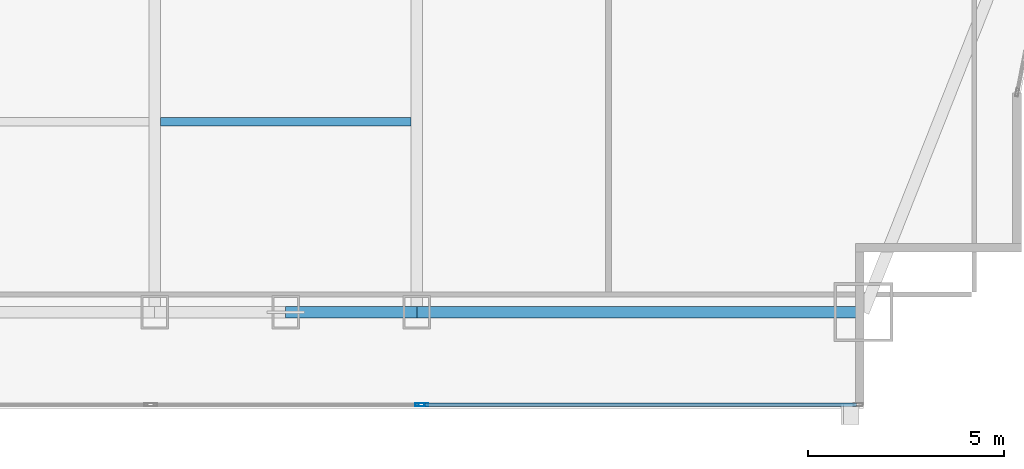
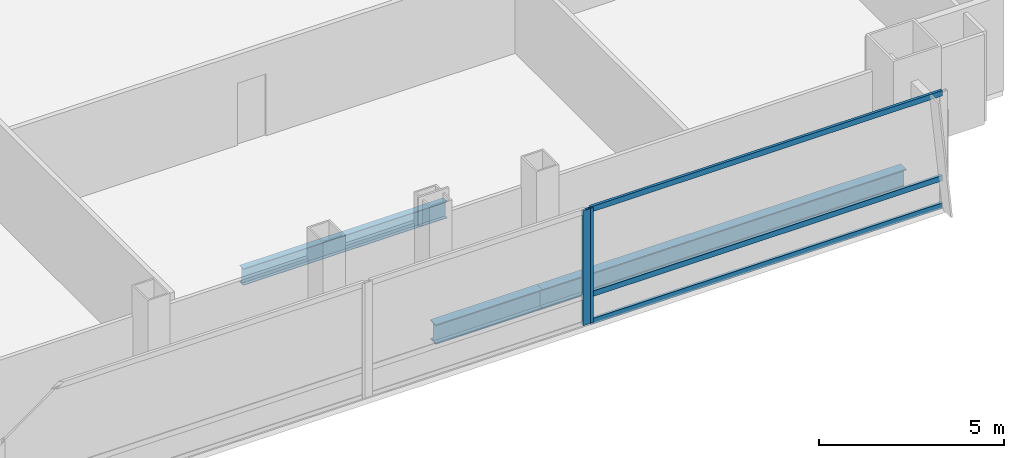
# One storey, part 15 of 34: 5 members, 3 beams, 2 elements without a shape of their own.
"""IFC4 building model written with IfcOpenShell, lengths in metres."""

from ifc_helpers import new_model, si_unit, direction, frame, origin, origin_2d, place, context, subcontext, project, spatial, hollow_rectangle, i_section, extrude, material, material_profile, profile_set, type_object, element, aggregate, save


model = new_model("IFC4")

# Units and contexts
model_context = context("Model", 3, precision=1e-05, world=origin(), true_north=direction((0.0, 1.0)))
body_context = subcontext(model_context, "Body", "Model", "MODEL_VIEW")
ifc_project = project(units=[si_unit("LENGTHUNIT", "METRE"), si_unit("AREAUNIT", "SQUARE_METRE"), si_unit("VOLUMEUNIT", "CUBIC_METRE"), si_unit("PLANEANGLEUNIT", "RADIAN"), si_unit("MASSUNIT", "GRAM", prefix="KILO")], contexts=[model_context])

# Site, building, storey
site_placement = place(None, origin())
site = spatial("IfcSite", under=ifc_project, at=site_placement, CompositionType="ELEMENT")
building_placement = place(site_placement, origin())
building = spatial("IfcBuilding", under=site, at=building_placement, Name="Khoronbel Lancet Exchange", CompositionType="ELEMENT")
storey_placement = place(building_placement, frame((0.0, 0.0, 102.60009765625)))
storey = spatial("IfcBuildingStorey", under=building, at=storey_placement, Name="L24", CompositionType="ELEMENT", Elevation=102.60009765625)

# Beams
ifc_material_1 = material(Name="Steel S355", Category="steel")
ifc_material_profile_1 = material_profile(ifc_material_1, i_section(OverallWidth=0.2099609375, OverallDepth=0.550048828125, WebThickness=0.010986328125, FlangeThickness=0.01708984375, at=origin_2d()), Name="IPE 550")
ifc_profile_set_1 = profile_set([ifc_material_profile_1], Name="Steel S355")
beam_type_1 = type_object("IfcBeamType", Name="BM-BJ2", PredefinedType="JOIST", material=ifc_profile_set_1)
beam_1_placement = place(storey_placement, frame((48.14990234375, 15.0, -0.455078125), z_axis=(1.0, 0.0, 0.0), x_axis=(0.0, 1.0, 0.0)))
element("IfcBeam", 1, at=beam_1_placement, inside=storey, type_object=beam_type_1, Name="Level L24 secondary composite joist J05", PredefinedType="JOIST", context=body_context, shape_type="SweptSolid", body=[
    extrude(i_section(OverallWidth=0.2099609375, OverallDepth=0.550048828125, WebThickness=0.010986328125, FlangeThickness=0.01708984375, at=origin_2d()), origin(), (0.0, 0.0, 1.0), 6.375),
])
ifc_material_profile_2 = material_profile(ifc_material_1, i_section(OverallWidth=0.300048828125, OverallDepth=0.64990234375, WebThickness=0.01611328125, FlangeThickness=0.031005859375, at=origin_2d()), Name="HEB 650")
ifc_profile_set_2 = profile_set([ifc_material_profile_2], Name="Steel S355")
beam_type_2 = type_object("IfcBeamType", Name="BM-BSP1", PredefinedType="SPANDREL", material=ifc_profile_set_2)
beam_2_placement = place(storey_placement, frame((51.33740234375, 10.14990234375, -0.505126953125), z_axis=(1.0, 0.0, 0.0), x_axis=(0.0, 1.0, 0.0)))
element("IfcBeam", 2, at=beam_2_placement, inside=storey, type_object=beam_type_2, Name="Level L24 perimeter spandrel beam SP08", PredefinedType="SPANDREL", context=body_context, shape_type="SweptSolid", body=[
    extrude(i_section(OverallWidth=0.300048828125, OverallDepth=0.64990234375, WebThickness=0.01611328125, FlangeThickness=0.031005859375, at=origin_2d()), origin(), (0.0, 0.0, 1.0), 3.337646484375),
])
beam_3_placement = place(storey_placement, frame((54.675048828125, 10.14990234375, -0.505126953125), z_axis=(1.0, 0.0, 0.0), x_axis=(0.0, 1.0, 0.0)))
element("IfcBeam", 3, at=beam_3_placement, inside=storey, type_object=beam_type_2, Name="Level L24 perimeter spandrel beam SP09", PredefinedType="SPANDREL", context=body_context, shape_type="SweptSolid", body=[
    extrude(i_section(OverallWidth=0.300048828125, OverallDepth=0.64990234375, WebThickness=0.01611328125, FlangeThickness=0.031005859375, at=origin_2d()), origin(), (0.0, 0.0, 1.0), 11.375),
])

# Curtain wall, member
ifc_material_2 = material(Name="Low-E Solar Control Insulating Glass", Category="glass")
curtain_wall_type = type_object("IfcCurtainWallType", Name="CW-2", PredefinedType="NOTDEFINED", material=ifc_material_2)
curtain_wall_1_placement = place(storey_placement, origin())
curtain_wall_1 = element("IfcCurtainWall", 4, at=curtain_wall_1_placement, inside=storey, type_object=curtain_wall_type, Name="Unitised curtain wall CW-L24-SEB", PredefinedType="NOTDEFINED")
ifc_material_3 = material(Name="Bronze-Anodised Aluminium 6063-T6", Category="aluminium")
ifc_material_profile_3 = material_profile(ifc_material_3, hollow_rectangle(XDim=0.0849609375, YDim=0.239990234375, WallThickness=0.006103515625, at=origin_2d()), Name="ALU MULLION 85x240")
ifc_profile_set_3 = profile_set([ifc_material_profile_3], Name="Bronze-Anodised Aluminium 6063-T6")
member_type_1 = type_object("IfcMemberType", Name="MEM-CWM1", PredefinedType="MULLION", material=ifc_profile_set_3)
member_1_placement = place(storey_placement, frame((54.757568359375, 7.7900390625, 0.0), z_axis=(0.0, 0.0, 1.0), x_axis=(0.0, 1.0, 0.0)))
member_1 = element("IfcMember", 5, at=member_1_placement, type_object=member_type_1, Name="CW2 mullion 2", PredefinedType="MULLION", context=body_context, shape_type="SweptSolid", body=[
    extrude(hollow_rectangle(XDim=0.0849609375, YDim=0.239990234375, WallThickness=0.006103515625, at=origin_2d()), origin(), (0.0, 0.0, 1.0), 3.7998046875),
])
aggregate(curtain_wall_1, [member_1])

# Curtain wall, members
curtain_wall_2_placement = place(storey_placement, origin())
curtain_wall_2 = element("IfcCurtainWall", 6, at=curtain_wall_2_placement, inside=storey, type_object=curtain_wall_type, Name="Unitised curtain wall CW-L24-SEV", PredefinedType="NOTDEFINED")
member_2_placement = place(storey_placement, frame((54.842529296875, 7.7900390625, 0.0), z_axis=(0.0, 0.0, 1.0), x_axis=(0.0, 1.0, 0.0)))
member_2 = element("IfcMember", 7, at=member_2_placement, type_object=member_type_1, Name="CW2 mullion 1", PredefinedType="MULLION", context=body_context, shape_type="SweptSolid", body=[
    extrude(hollow_rectangle(XDim=0.0849609375, YDim=0.239990234375, WallThickness=0.006103515625, at=origin_2d()), origin(), (0.0, 0.0, 1.0), 3.7998046875),
])
ifc_material_profile_4 = material_profile(ifc_material_3, hollow_rectangle(XDim=0.0849609375, YDim=0.179931640625, WallThickness=0.0048828125, at=origin_2d()), Name="ALU TRANSOM 85x180")
ifc_profile_set_4 = profile_set([ifc_material_profile_4], Name="Bronze-Anodised Aluminium 6063-T6")
member_type_2 = type_object("IfcMemberType", Name="MEM-CWT1", PredefinedType="USERDEFINED", material=ifc_profile_set_4)
member_3_placement = place(storey_placement, frame((54.885009765625, 7.7900390625, 0.04248046875), z_axis=(1.0, 0.0, 0.0), x_axis=(0.0, 1.0, 0.0)))
member_3 = element("IfcMember", 8, at=member_3_placement, type_object=member_type_2, Name="CW2 transom 1.1", ObjectType="TRANSOM", PredefinedType="USERDEFINED", context=body_context, shape_type="SweptSolid", body=[
    extrude(hollow_rectangle(XDim=0.0849609375, YDim=0.179931640625, WallThickness=0.0048828125, at=origin_2d()), origin(), (0.0, 0.0, 1.0), 10.989990234375),
])
member_4_placement = place(storey_placement, frame((54.885009765625, 7.7900390625, 0.949951171875), z_axis=(1.0, 0.0, 0.0), x_axis=(0.0, 1.0, 0.0)))
member_4 = element("IfcMember", 9, at=member_4_placement, type_object=member_type_2, Name="CW2 transom 1.2", ObjectType="TRANSOM", PredefinedType="USERDEFINED", context=body_context, shape_type="SweptSolid", body=[
    extrude(hollow_rectangle(XDim=0.0849609375, YDim=0.179931640625, WallThickness=0.0048828125, at=origin_2d()), origin(), (0.0, 0.0, 1.0), 10.989990234375),
])
member_5_placement = place(storey_placement, frame((54.885009765625, 7.7900390625, 3.75732421875), z_axis=(1.0, 0.0, 0.0), x_axis=(0.0, 1.0, 0.0)))
member_5 = element("IfcMember", 10, at=member_5_placement, type_object=member_type_2, Name="CW2 transom 1.3", ObjectType="TRANSOM", PredefinedType="USERDEFINED", context=body_context, shape_type="SweptSolid", body=[
    extrude(hollow_rectangle(XDim=0.0849609375, YDim=0.179931640625, WallThickness=0.0048828125, at=origin_2d()), origin(), (0.0, 0.0, 1.0), 10.989990234375),
])
aggregate(curtain_wall_2, [member_2, member_3, member_4, member_5])

save(model, "model.ifc")
